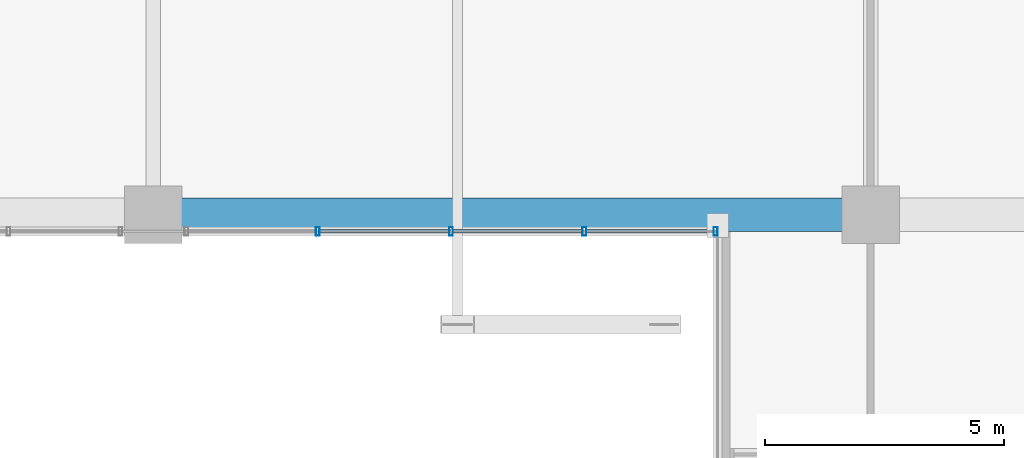
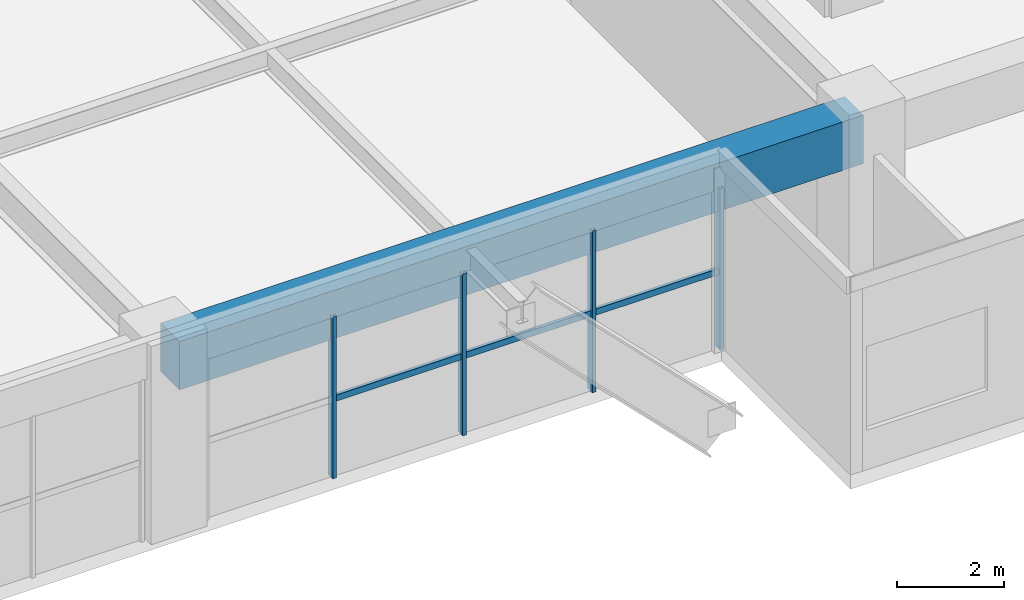
# One storey, part 6 of 24: 7 members, 1 beam, 1 element without a shape of its own.
"""IFC4 building model written with IfcOpenShell, lengths in metres."""

from ifc_helpers import new_model, si_unit, direction, frame, origin, origin_2d, place, context, subcontext, project, spatial, rectangle, hollow_rectangle, extrude, source, transform, mapped, material, material_profile, profile_set, type_object, element, aggregate, save


model = new_model("IFC4")

# Units and contexts
model_context = context("Model", 3, precision=1e-05, world=origin(), true_north=direction((0.0, 1.0)))
body_context = subcontext(model_context, "Body", "Model", "MODEL_VIEW")
ifc_project = project(units=[si_unit("LENGTHUNIT", "METRE"), si_unit("AREAUNIT", "SQUARE_METRE"), si_unit("VOLUMEUNIT", "CUBIC_METRE"), si_unit("PLANEANGLEUNIT", "RADIAN"), si_unit("MASSUNIT", "GRAM", prefix="KILO")], contexts=[model_context])

# Site, building, storey
site_placement = place(None, origin())
site = spatial("IfcSite", under=ifc_project, at=site_placement, CompositionType="ELEMENT")
building_placement = place(site_placement, origin())
building = spatial("IfcBuilding", under=site, at=building_placement, Name="Trelvane Seafront Commons", CompositionType="ELEMENT")
storey_placement = place(building_placement, frame((0.0, 0.0, 5.199951171875)))
storey = spatial("IfcBuildingStorey", under=building, at=storey_placement, Name="L01", CompositionType="ELEMENT", Elevation=5.199951171875)

# Beam
ifc_material_1 = material(Name="Concrete C50/60", Category="concrete")
ifc_material_profile_1 = material_profile(ifc_material_1, rectangle(XDim=0.699951171875, YDim=1.10009765625, at=origin_2d()), Name="RC-700x1100")
ifc_profile_set_1 = profile_set([ifc_material_profile_1], Name="Concrete C50/60")
beam_type = type_object("IfcBeamType", Name="STR-TBM-RC700x1100", PredefinedType="T_BEAM", material=ifc_profile_set_1)
shared_shape_1 = source(origin(), body_context, "Body", "SweptSolid", [
    extrude(rectangle(XDim=0.699951171875, YDim=1.10009765625, at=origin_2d()), origin(), (0.0, 0.0, 1.0), 14.699951171875),
])
beam_placement = place(storey_placement, frame((43.949951171875, 3.949951171875, 3.650146484375), z_axis=(1.0, 0.0, 0.0), x_axis=(0.0, 1.0, 0.0)))
element("IfcBeam", 1, at=beam_placement, inside=storey, type_object=beam_type, Name="L01 Primary Girder G-05", PredefinedType="T_BEAM", context=body_context, shape_type="MappedRepresentation", body=[
    mapped(shared_shape_1, transform((0.0, 0.0, 0.0), x_axis=(1.0, 0.0, 0.0), y_axis=(0.0, 1.0, 0.0), z_axis=(0.0, 0.0, 1.0), scale=1.0)),
])

# Curtain wall, members
ifc_material_2 = material(Name="Anodised pale-silver aluminium", Category="aluminium")
curtain_wall_type = type_object("IfcCurtainWallType", Name="ARCH-CW1-PODIUM", PredefinedType="NOTDEFINED", material=ifc_material_2)
curtain_wall_placement = place(storey_placement, origin())
curtain_wall = element("IfcCurtainWall", 2, at=curtain_wall_placement, inside=storey, type_object=curtain_wall_type, Name="CW-L01-VP-0010", PredefinedType="NOTDEFINED")
ifc_material_profile_2 = material_profile(ifc_material_2, hollow_rectangle(XDim=0.080078125, YDim=0.179931640625, WallThickness=0.00439453125, at=origin_2d()), Name="MULL-80x180x4.5")
ifc_profile_set_2 = profile_set([ifc_material_profile_2], Name="Anodised pale-silver aluminium")
member_type_1 = type_object("IfcMemberType", Name="ARCH-CW-MULL-180", PredefinedType="MULLION", material=ifc_profile_set_2)
shared_shape_2 = source(origin(), body_context, "Body", "SweptSolid", [
    extrude(hollow_rectangle(XDim=0.080078125, YDim=0.179931640625, WallThickness=0.00439453125, at=origin_2d()), origin(), (0.0, 0.0, 1.0), 3.679931640625),
])
member_1_placement = place(storey_placement, frame((55.56005859375, 3.60009765625, 0.0), z_axis=(0.0, 0.0, 1.0), x_axis=(1.0, 0.0, 0.0)))
member_1 = element("IfcMember", 3, at=member_1_placement, type_object=member_type_1, Name="CW-L01-VP-0010-M00", PredefinedType="MULLION", context=body_context, shape_type="MappedRepresentation", body=[
    mapped(shared_shape_2, transform((0.0, 0.0, 0.0), x_axis=(1.0, 0.0, 0.0), y_axis=(0.0, 1.0, 0.0), z_axis=(0.0, 0.0, 1.0), scale=1.0)),
])
member_2_placement = place(storey_placement, frame((52.8125, 3.60009765625, 0.0), z_axis=(0.0, 0.0, 1.0), x_axis=(1.0, 0.0, 0.0)))
member_2 = element("IfcMember", 4, at=member_2_placement, type_object=member_type_1, Name="CW-L01-VP-0010-M01", PredefinedType="MULLION", context=body_context, shape_type="MappedRepresentation", body=[
    mapped(shared_shape_2, transform((0.0, 0.0, 0.0), x_axis=(1.0, 0.0, 0.0), y_axis=(0.0, 1.0, 0.0), z_axis=(0.0, 0.0, 1.0), scale=1.0)),
])
member_3_placement = place(storey_placement, frame((50.02490234375, 3.60009765625, 0.0), z_axis=(0.0, 0.0, 1.0), x_axis=(1.0, 0.0, 0.0)))
member_3 = element("IfcMember", 5, at=member_3_placement, type_object=member_type_1, Name="CW-L01-VP-0010-M02", PredefinedType="MULLION", context=body_context, shape_type="MappedRepresentation", body=[
    mapped(shared_shape_2, transform((0.0, 0.0, 0.0), x_axis=(1.0, 0.0, 0.0), y_axis=(0.0, 1.0, 0.0), z_axis=(0.0, 0.0, 1.0), scale=1.0)),
])
member_4_placement = place(storey_placement, frame((47.237548828125, 3.60009765625, 0.0), z_axis=(0.0, 0.0, 1.0), x_axis=(1.0, 0.0, 0.0)))
member_4 = element("IfcMember", 6, at=member_4_placement, type_object=member_type_1, Name="CW-L01-VP-0010-M03", PredefinedType="MULLION", context=body_context, shape_type="MappedRepresentation", body=[
    mapped(shared_shape_2, transform((0.0, 0.0, 0.0), x_axis=(1.0, 0.0, 0.0), y_axis=(0.0, 1.0, 0.0), z_axis=(0.0, 0.0, 1.0), scale=1.0)),
])
ifc_material_profile_3 = material_profile(ifc_material_2, hollow_rectangle(XDim=0.074951171875, YDim=0.139892578125, WallThickness=0.00390625, at=origin_2d()), Name="TRAN-75x140x4")
ifc_profile_set_3 = profile_set([ifc_material_profile_3], Name="Anodised pale-silver aluminium")
member_type_2 = type_object("IfcMemberType", Name="ARCH-CW-TRAN-140", PredefinedType="USERDEFINED", material=ifc_profile_set_3)
shared_shape_3 = source(origin(), body_context, "Body", "SweptSolid", [
    extrude(hollow_rectangle(XDim=0.074951171875, YDim=0.139892578125, WallThickness=0.00390625, at=origin_2d()), origin(), (0.0, 0.0, 1.0), 2.763427734375),
])
member_5_placement = place(storey_placement, frame((55.587890625, 3.60009765625, 1.76611328125), z_axis=(-1.0, 0.0, 0.0), x_axis=(0.0, -1.0, 0.0)))
member_5 = element("IfcMember", 7, at=member_5_placement, type_object=member_type_2, Name="CW-L01-VP-0010-T00", ObjectType="TRANSOM", PredefinedType="USERDEFINED", context=body_context, shape_type="MappedRepresentation", body=[
    mapped(shared_shape_3, transform((0.0, 0.0, 0.0), x_axis=(1.0, 0.0, 0.0), y_axis=(0.0, 1.0, 0.0), z_axis=(0.0, 0.0, 1.0), scale=1.0)),
])
member_6_placement = place(storey_placement, frame((52.800537109375, 3.60009765625, 1.76611328125), z_axis=(-1.0, 0.0, 0.0), x_axis=(0.0, -1.0, 0.0)))
member_6 = element("IfcMember", 8, at=member_6_placement, type_object=member_type_2, Name="CW-L01-VP-0010-T01", ObjectType="TRANSOM", PredefinedType="USERDEFINED", context=body_context, shape_type="MappedRepresentation", body=[
    mapped(shared_shape_3, transform((0.0, 0.0, 0.0), x_axis=(1.0, 0.0, 0.0), y_axis=(0.0, 1.0, 0.0), z_axis=(0.0, 0.0, 1.0), scale=1.0)),
])
member_7_placement = place(storey_placement, frame((50.012939453125, 3.60009765625, 1.76611328125), z_axis=(-1.0, 0.0, 0.0), x_axis=(0.0, -1.0, 0.0)))
member_7 = element("IfcMember", 9, at=member_7_placement, type_object=member_type_2, Name="CW-L01-VP-0010-T02", ObjectType="TRANSOM", PredefinedType="USERDEFINED", context=body_context, shape_type="MappedRepresentation", body=[
    mapped(shared_shape_3, transform((0.0, 0.0, 0.0), x_axis=(1.0, 0.0, 0.0), y_axis=(0.0, 1.0, 0.0), z_axis=(0.0, 0.0, 1.0), scale=1.0)),
])
aggregate(curtain_wall, [member_1, member_2, member_3, member_4, member_5, member_6, member_7])

save(model, "model.ifc")
